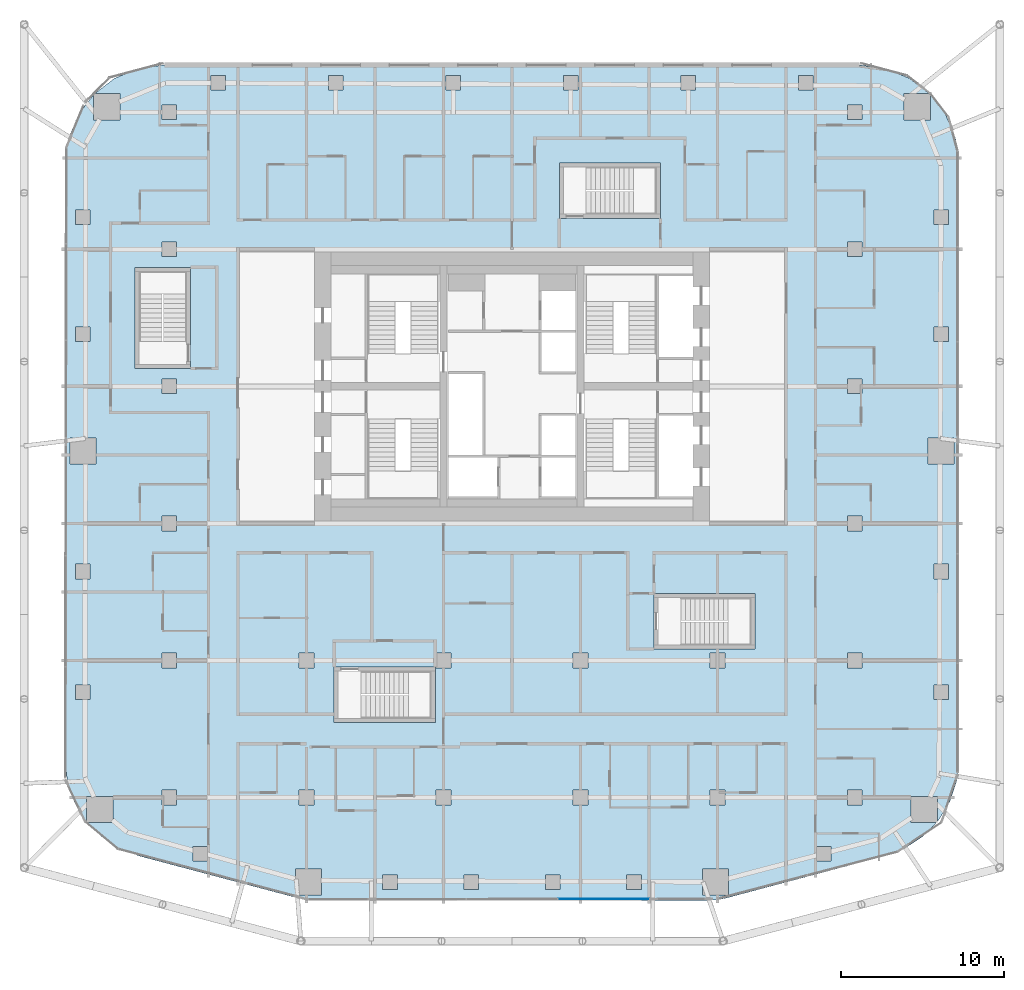
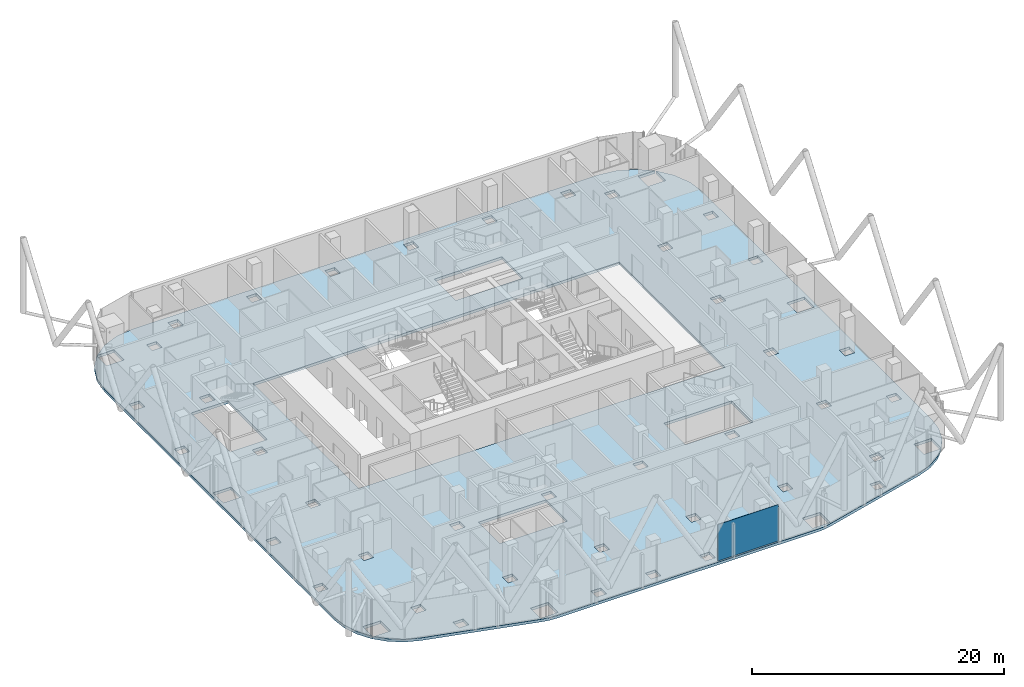
# One storey, part 21 of 36: 1 plate, 1 slab, 1 element without a shape of its own.
"""IFC4 building model written with IfcOpenShell, lengths in metres."""

from ifc_helpers import new_model, si_unit, direction, frame, origin, origin_2d, place, context, subcontext, project, spatial, polyline, rectangle, outline, extrude, material, layer, layer_set, type_object, element, aggregate, save


model = new_model("IFC4")

# Units and contexts
model_context = context("Model", 3, precision=1e-05, world=origin(), true_north=direction((0.0, 1.0)))
body_context = subcontext(model_context, "Body", "Model", "MODEL_VIEW")
ifc_project = project(units=[si_unit("LENGTHUNIT", "METRE"), si_unit("AREAUNIT", "SQUARE_METRE"), si_unit("VOLUMEUNIT", "CUBIC_METRE"), si_unit("PLANEANGLEUNIT", "RADIAN"), si_unit("MASSUNIT", "GRAM", prefix="KILO")], contexts=[model_context])

# Site, building, storey
site_placement = place(None, origin())
site = spatial("IfcSite", under=ifc_project, at=site_placement, CompositionType="ELEMENT")
building_placement = place(site_placement, origin())
building = spatial("IfcBuilding", under=site, at=building_placement, Name="Marenta Gate Hotel Tower", CompositionType="ELEMENT")
storey_placement = place(building_placement, frame((0.0, 0.0, 115.699951171875)))
storey = spatial("IfcBuildingStorey", under=building, at=storey_placement, Name="L25", CompositionType="ELEMENT", Elevation=115.699951171875)

# Slab
ifc_material_1 = material(Name="Concrete C35", Category="concrete")
ifc_layer_1 = layer(ifc_material_1, 0.260009765625)
ifc_layer_set_1 = layer_set([ifc_layer_1], Name="Concrete C35")
slab_type = type_object("IfcSlabType", Name="Concrete floor slab 260", PredefinedType="FLOOR", material=ifc_layer_set_1)
slab_placement = place(storey_placement, frame((0.0, 0.0, -0.260009765625)))
element("IfcSlab", 1, at=slab_placement, inside=storey, type_object=slab_type, Name="L25-SL-1", PredefinedType="FLOOR", context=body_context, shape_type="SweptSolid", body=[
    extrude(outline(polyline([(-25.213623046875, -19.1640625), (-26.011474609375, -18.3330078125), (-24.462890625, -18.3330078125), (-24.462890625, -16.73291015625), (-26.06298828125, -16.73291015625), (-26.06298828125, -18.279296875), (-26.13525390625, -18.2041015625), (-26.826904296875, -17.06689453125), (-27.25537109375, -15.80712890625), (-27.39990234375, -14.48974609375), (-27.39990234375, 22.006591796875), (-27.193115234375, 23.5791015625), (-26.58349609375, 25.050537109375), (-25.635498046875, 26.285888671875), (-25.635498046875, 24.735595703125), (-24.035400390625, 24.735595703125), (-24.035400390625, 26.33544921875), (-25.585693359375, 26.33544921875), (-24.350341796875, 27.283447265625), (-22.87890625, 27.89306640625), (-21.306640625, 28.10009765625), (21.306640625, 28.10009765625), (22.87890625, 27.89306640625), (24.350341796875, 27.283447265625), (25.585693359375, 26.33544921875), (24.035400390625, 26.33544921875), (24.035400390625, 24.735595703125), (25.635498046875, 24.735595703125), (25.635498046875, 26.285888671875), (26.58349609375, 25.050537109375), (27.193115234375, 23.5791015625), (27.39990234375, 22.006591796875), (27.39990234375, -14.48974609375), (27.25537109375, -15.80712890625), (26.826904296875, -17.06689453125), (26.13525390625, -18.2041015625), (26.06298828125, -18.279296875), (26.06298828125, -16.73291015625), (24.462890625, -16.73291015625), (24.462890625, -18.3330078125), (26.011474609375, -18.3330078125), (25.213623046875, -19.1640625), (24.105712890625, -19.9013671875), (22.86962890625, -20.37890625), (13.126708984375, -22.963623046875), (12.608642578125, -23.065673828125), (12.08154296875, -23.10009765625), (-12.08154296875, -23.10009765625), (-12.608642578125, -23.065673828125), (-13.126708984375, -22.963623046875), (-22.86962890625, -20.37890625), (-24.105712890625, -19.9013671875), (-25.213623046875, -19.1640625)]), holes=[polyline([(-16.800048828125, 0.0), (16.800048828125, 0.0), (16.800048828125, 16.800048828125), (-16.800048828125, 16.800048828125), (-16.800048828125, 0.0)]), polyline([(-18.65673828125, -19.7890625), (-19.556884765625, -19.7890625), (-19.556884765625, -20.689208984375), (-18.65673828125, -20.689208984375), (-18.65673828125, -19.7890625)]), polyline([(-20.550048828125, -17.25), (-20.550048828125, -16.35009765625), (-21.449951171875, -16.35009765625), (-21.449951171875, -17.25), (-20.550048828125, -17.25)]), polyline([(-12.14990234375, -16.35009765625), (-13.050048828125, -16.35009765625), (-13.050048828125, -17.25), (-12.14990234375, -17.25), (-12.14990234375, -16.35009765625)]), polyline([(-25.85009765625, -10.802001953125), (-25.85009765625, -9.90185546875), (-26.75, -9.90185546875), (-26.75, -10.802001953125), (-25.85009765625, -10.802001953125)]), polyline([(-20.550048828125, -8.85009765625), (-20.550048828125, -7.949951171875), (-21.449951171875, -7.949951171875), (-21.449951171875, -8.85009765625), (-20.550048828125, -8.85009765625)]), polyline([(-25.85009765625, -2.5009765625), (-26.75, -2.5009765625), (-26.75, -3.40087890625), (-25.85009765625, -3.40087890625), (-25.85009765625, -2.5009765625)]), polyline([(-20.550048828125, -0.449951171875), (-20.550048828125, 0.449951171875), (-21.449951171875, 0.449951171875), (-21.449951171875, -0.449951171875), (-20.550048828125, -0.449951171875)]), polyline([(-25.5, 3.64990234375), (-25.5, 5.25), (-27.10009765625, 5.25), (-27.10009765625, 3.64990234375), (-25.5, 3.64990234375)]), polyline([(-20.550048828125, 8.85009765625), (-21.449951171875, 8.85009765625), (-21.449951171875, 7.949951171875), (-20.550048828125, 7.949951171875), (-20.550048828125, 8.85009765625)]), polyline([(-25.85009765625, 11.1533203125), (-25.85009765625, 12.05322265625), (-26.75, 12.05322265625), (-26.75, 11.1533203125), (-25.85009765625, 11.1533203125)]), polyline([(-20.550048828125, 16.35009765625), (-20.550048828125, 17.25), (-21.449951171875, 17.25), (-21.449951171875, 16.35009765625), (-20.550048828125, 16.35009765625)]), polyline([(-25.85009765625, 19.206298828125), (-26.75, 19.206298828125), (-26.75, 18.306396484375), (-25.85009765625, 18.306396484375), (-25.85009765625, 19.206298828125)]), polyline([(-20.550048828125, 24.75), (-20.550048828125, 25.64990234375), (-21.449951171875, 25.64990234375), (-21.449951171875, 24.75), (-20.550048828125, 24.75)]), polyline([(-17.556884765625, 27.449951171875), (-18.456787109375, 27.449951171875), (-18.456787109375, 26.550048828125), (-17.556884765625, 26.550048828125), (-17.556884765625, 27.449951171875)]), polyline([(-7.030029296875, -22.449951171875), (-7.030029296875, -21.550048828125), (-7.93017578125, -21.550048828125), (-7.93017578125, -22.449951171875), (-7.030029296875, -22.449951171875)]), polyline([(-2.04345703125, -22.449951171875), (-2.04345703125, -21.550048828125), (-2.943359375, -21.550048828125), (-2.943359375, -22.449951171875), (-2.04345703125, -22.449951171875)]), polyline([(2.943359375, -21.550048828125), (2.04345703125, -21.550048828125), (2.04345703125, -22.449951171875), (2.943359375, -22.449951171875), (2.943359375, -21.550048828125)]), polyline([(7.93017578125, -22.449951171875), (7.93017578125, -21.550048828125), (7.030029296875, -21.550048828125), (7.030029296875, -22.449951171875), (7.93017578125, -22.449951171875)]), polyline([(-11.666259765625, -22.77490234375), (-11.666259765625, -21.1748046875), (-13.266357421875, -21.1748046875), (-13.266357421875, -22.77490234375), (-11.666259765625, -22.77490234375)]), polyline([(13.266357421875, -21.1748046875), (11.666259765625, -21.1748046875), (11.666259765625, -22.77490234375), (13.266357421875, -22.77490234375), (13.266357421875, -21.1748046875)]), polyline([(-3.75, -17.25), (-3.75, -16.35009765625), (-4.64990234375, -16.35009765625), (-4.64990234375, -17.25), (-3.75, -17.25)]), polyline([(4.64990234375, -17.25), (4.64990234375, -16.35009765625), (3.75, -16.35009765625), (3.75, -17.25), (4.64990234375, -17.25)]), polyline([(13.050048828125, -16.35009765625), (12.14990234375, -16.35009765625), (12.14990234375, -17.25), (13.050048828125, -17.25), (13.050048828125, -16.35009765625)]), polyline([(-12.14990234375, -8.85009765625), (-12.14990234375, -7.949951171875), (-13.050048828125, -7.949951171875), (-13.050048828125, -8.85009765625), (-12.14990234375, -8.85009765625)]), polyline([(-3.75, -8.85009765625), (-3.75, -7.949951171875), (-4.64990234375, -7.949951171875), (-4.64990234375, -8.85009765625), (-3.75, -8.85009765625)]), polyline([(4.64990234375, -7.949951171875), (3.75, -7.949951171875), (3.75, -8.85009765625), (4.64990234375, -8.85009765625), (4.64990234375, -7.949951171875)]), polyline([(-10.35400390625, 26.550048828125), (-10.35400390625, 27.449951171875), (-11.254150390625, 27.449951171875), (-11.254150390625, 26.550048828125), (-10.35400390625, 26.550048828125)]), polyline([(-3.1513671875, 26.550048828125), (-3.1513671875, 27.449951171875), (-4.051513671875, 27.449951171875), (-4.051513671875, 26.550048828125), (-3.1513671875, 26.550048828125)]), polyline([(4.051513671875, 27.449951171875), (3.1513671875, 27.449951171875), (3.1513671875, 26.550048828125), (4.051513671875, 26.550048828125), (4.051513671875, 27.449951171875)]), polyline([(11.254150390625, 26.550048828125), (11.254150390625, 27.449951171875), (10.35400390625, 27.449951171875), (10.35400390625, 26.550048828125), (11.254150390625, 26.550048828125)]), polyline([(19.556884765625, -20.689208984375), (19.556884765625, -19.7890625), (18.65673828125, -19.7890625), (18.65673828125, -20.689208984375), (19.556884765625, -20.689208984375)]), polyline([(21.449951171875, -17.25), (21.449951171875, -16.35009765625), (20.550048828125, -16.35009765625), (20.550048828125, -17.25), (21.449951171875, -17.25)]), polyline([(26.75, -10.802001953125), (26.75, -9.90185546875), (25.85009765625, -9.90185546875), (25.85009765625, -10.802001953125), (26.75, -10.802001953125)]), polyline([(13.050048828125, -7.949951171875), (12.14990234375, -7.949951171875), (12.14990234375, -8.85009765625), (13.050048828125, -8.85009765625), (13.050048828125, -7.949951171875)]), polyline([(21.449951171875, -8.85009765625), (21.449951171875, -7.949951171875), (20.550048828125, -7.949951171875), (20.550048828125, -8.85009765625), (21.449951171875, -8.85009765625)]), polyline([(26.75, -3.40087890625), (26.75, -2.5009765625), (25.85009765625, -2.5009765625), (25.85009765625, -3.40087890625), (26.75, -3.40087890625)]), polyline([(21.449951171875, 0.449951171875), (20.550048828125, 0.449951171875), (20.550048828125, -0.449951171875), (21.449951171875, -0.449951171875), (21.449951171875, 0.449951171875)]), polyline([(27.10009765625, 3.64990234375), (27.10009765625, 5.25), (25.5, 5.25), (25.5, 3.64990234375), (27.10009765625, 3.64990234375)]), polyline([(21.449951171875, 7.949951171875), (21.449951171875, 8.85009765625), (20.550048828125, 8.85009765625), (20.550048828125, 7.949951171875), (21.449951171875, 7.949951171875)]), polyline([(26.75, 12.05322265625), (25.85009765625, 12.05322265625), (25.85009765625, 11.1533203125), (26.75, 11.1533203125), (26.75, 12.05322265625)]), polyline([(21.449951171875, 16.35009765625), (21.449951171875, 17.25), (20.550048828125, 17.25), (20.550048828125, 16.35009765625), (21.449951171875, 16.35009765625)]), polyline([(26.75, 18.306396484375), (26.75, 19.206298828125), (25.85009765625, 19.206298828125), (25.85009765625, 18.306396484375), (26.75, 18.306396484375)]), polyline([(21.449951171875, 25.64990234375), (20.550048828125, 25.64990234375), (20.550048828125, 24.75), (21.449951171875, 24.75), (21.449951171875, 25.64990234375)]), polyline([(18.456787109375, 26.550048828125), (18.456787109375, 27.449951171875), (17.556884765625, 27.449951171875), (17.556884765625, 26.550048828125), (18.456787109375, 26.550048828125)]), polyline([(-10.89990234375, -12.199951171875), (-4.699951171875, -12.199951171875), (-4.699951171875, -8.800048828125), (-10.89990234375, -8.800048828125), (-10.89990234375, -12.199951171875)]), polyline([(8.699951171875, -7.699951171875), (14.89990234375, -7.699951171875), (14.89990234375, -4.300048828125), (8.699951171875, -4.300048828125), (8.699951171875, -7.699951171875)]), polyline([(-23.10009765625, 9.5), (-19.699951171875, 9.5), (-19.699951171875, 15.699951171875), (-23.10009765625, 15.699951171875), (-23.10009765625, 9.5)]), polyline([(2.89990234375, 18.699951171875), (9.10009765625, 18.699951171875), (9.10009765625, 22.10009765625), (2.89990234375, 22.10009765625), (2.89990234375, 18.699951171875)])]), origin(), (0.0, 0.0, 1.0), 0.260009765625),
])

# Curtain wall, plate
ifc_material_2 = material(Name="Tinted insulated glass in bronze anodised frame", Category="glass")
ifc_layer_2 = layer(ifc_material_2, 0.1201171875)
ifc_layer_set_2 = layer_set([ifc_layer_2], Name="Tinted insulated glass in bronze anodised frame")
curtain_wall_type = type_object("IfcCurtainWallType", Name="Tower unitised curtain wall CW1", PredefinedType="NOTDEFINED", material=ifc_layer_set_2)
curtain_wall_placement = place(storey_placement, origin())
curtain_wall = element("IfcCurtainWall", 2, at=curtain_wall_placement, inside=storey, type_object=curtain_wall_type, Name="CW1 run G21", PredefinedType="NOTDEFINED")
ifc_material_3 = material(Name="Tinted insulated glass", Category="glass")
ifc_layer_3 = layer(ifc_material_3, 0.028076171875)
ifc_layer_set_3 = layer_set([ifc_layer_3], Name="Tinted insulated glass")
plate_type = type_object("IfcPlateType", Name="Glass panel CW1 28 mm tinted insulated unit", PredefinedType="CURTAIN_PANEL", material=ifc_layer_set_3)
plate_placement = place(storey_placement, frame((5.622802734375, -23.022705078125, 0.06005859375), z_axis=(0.0, 0.0, 1.0), x_axis=(0.999999070887, 0.001363166999, 0.0)))
plate = element("IfcPlate", 3, at=plate_placement, type_object=plate_type, Name="CW1 panel 3.1", PredefinedType="CURTAIN_PANEL", context=body_context, shape_type="SweptSolid", body=[
    extrude(rectangle(XDim=5.569580078125, YDim=0.028076171875, at=origin_2d()), origin(), (0.0, 0.0, 1.0), 3.5400390625),
])
aggregate(curtain_wall, [plate])

save(model, "model.ifc")
